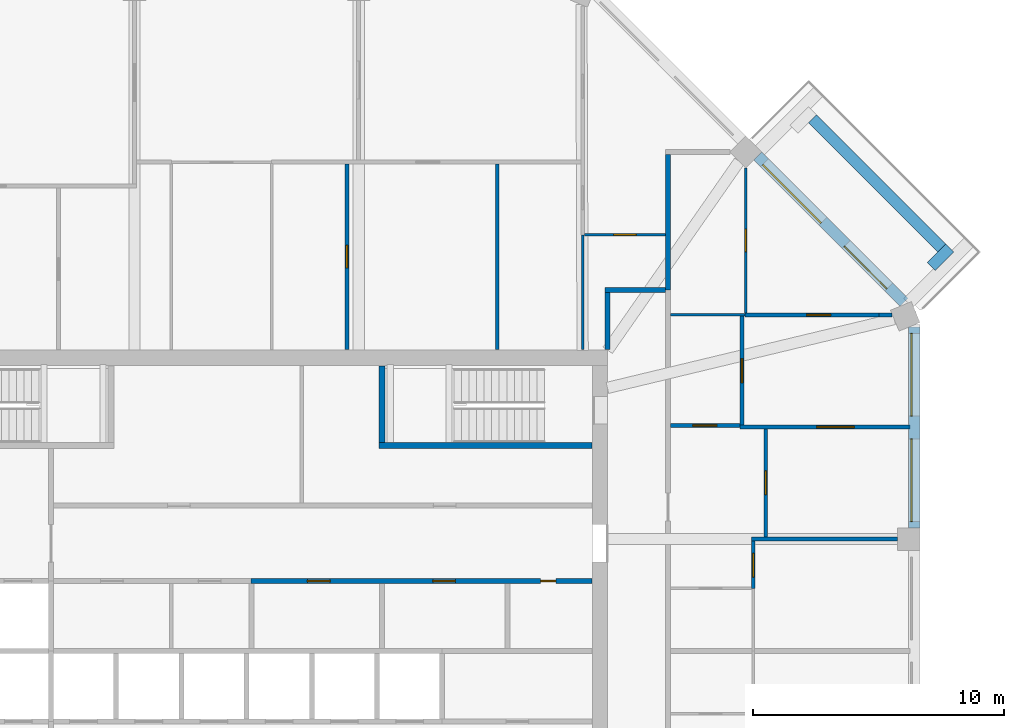
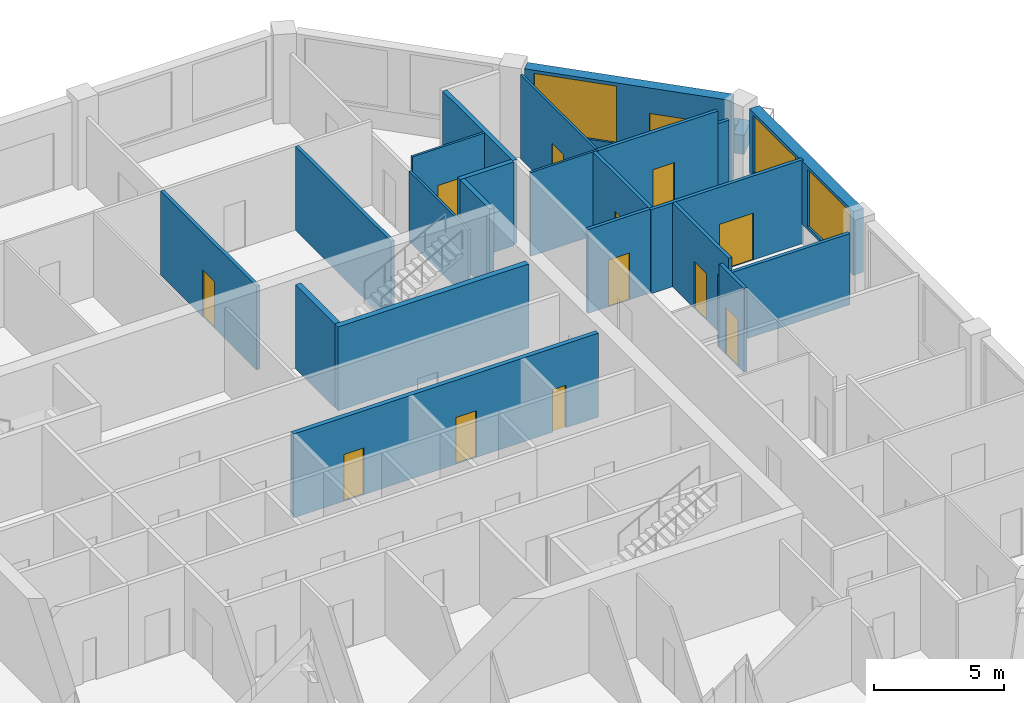
# One storey, part 9 of 11: 24 walls, 13 doors, 3 windows, 16 openings.
"""IFC4 building model written with IfcOpenShell, lengths in metres."""

from ifc_helpers import new_model, si_unit, direction, frame, frame_2d, origin, place, context, subcontext, project, spatial, rectangle, extrude, material, layer, layer_set, type_object, element, fill, save


model = new_model("IFC4")

# Units and contexts
model_context = context("Model", 3, precision=1e-05, world=origin(), true_north=direction((0.0, 1.0)))
body_context = subcontext(model_context, "Body", "Model", "MODEL_VIEW")
ifc_project = project(units=[si_unit("LENGTHUNIT", "METRE"), si_unit("AREAUNIT", "SQUARE_METRE"), si_unit("VOLUMEUNIT", "CUBIC_METRE"), si_unit("PLANEANGLEUNIT", "RADIAN"), si_unit("MASSUNIT", "GRAM", prefix="KILO")], contexts=[model_context])

# Site, building, storey
site_placement = place(None, origin())
site = spatial("IfcSite", under=ifc_project, at=site_placement, CompositionType="ELEMENT")
building_placement = place(site_placement, origin())
building = spatial("IfcBuilding", under=site, at=building_placement, Name="Msitu Wima Residences", CompositionType="ELEMENT")
storey_placement = place(building_placement, frame((0.0, 0.0, 260.10009765625)))
storey = spatial("IfcBuildingStorey", under=building, at=storey_placement, Name="L60", CompositionType="ELEMENT", Elevation=260.10009765625)

# Walls
ifc_material_1 = material(Name="Facing brick")
ifc_layer_1 = layer(ifc_material_1, 0.06494140625, Name="Facing brick")
ifc_material_2 = material(Name="Concrete C40/50", Category="concrete")
ifc_layer_2 = layer(ifc_material_2, 0.156005859375, Name="Concrete C40/50")
ifc_material_3 = material(Name="Waterproofing membrane")
ifc_layer_3 = layer(ifc_material_3, 0.00390625, Name="Waterproofing membrane")
ifc_material_4 = material(Name="Planting soil and planting")
ifc_layer_4 = layer(ifc_material_4, 0.22509765625, Name="Planting soil and planting")
ifc_layer_set_1 = layer_set([ifc_layer_1, ifc_layer_2, ifc_layer_3, ifc_layer_4], Name="Concrete C40/50")
wall_type_1 = type_object("IfcWallType", Name="Balcony planter PLANTER PL450", PredefinedType="USERDEFINED", material=ifc_layer_set_1)
wall_1_placement = place(storey_placement, frame((27.725830078125, 16.0751953125, 0.0), z_axis=(0.0, 0.0, 1.0), x_axis=(-0.707106781187, 0.707106781187, 0.0)))
element("IfcWall", 1, at=wall_1_placement, inside=storey, type_object=wall_type_1, Name="Balcony planter NE0 L60", ObjectType="PLANTER", PredefinedType="USERDEFINED", context=body_context, shape_type="SweptSolid", body=[
    extrude(rectangle(XDim=7.288330078125, YDim=0.449951171875, at=frame_2d((3.64404296875, 0.0))), origin(), (0.0, 0.0, 1.0), 0.89990234375),
])
wall_2_placement = place(storey_placement, frame((27.301513671875, 15.332763671875, 0.0), z_axis=(0.0, 0.0, 1.0), x_axis=(0.707106781187, 0.707106781187, 0.0)))
element("IfcWall", 2, at=wall_2_placement, inside=storey, type_object=wall_type_1, Name="Balcony planter NE0 L60", ObjectType="PLANTER", PredefinedType="USERDEFINED", context=body_context, shape_type="SweptSolid", body=[
    extrude(rectangle(XDim=1.050048828125, YDim=0.449951171875, at=frame_2d((0.52490234375, 0.0))), origin(), (0.0, 0.0, 1.0), 0.89990234375),
])

# Wall, openings, windows
ifc_material_5 = material(Name="Brick (red buff mix)", Category="masonry")
ifc_layer_5 = layer(ifc_material_5, 0.449951171875)
ifc_layer_set_2 = layer_set([ifc_layer_5], Name="Brick (red buff mix)")
wall_type_2 = type_object("IfcWallType", Name="Brick infill wall BW450", PredefinedType="SOLIDWALL", material=ifc_layer_set_2)
wall_3_placement = place(storey_placement, frame((26.625, 4.918701171875, 0.89990234375), z_axis=(0.0, 0.0, 1.0), x_axis=(0.0, 1.0, 0.0)))
wall_3 = element("IfcWall", 3, at=wall_3_placement, inside=storey, type_object=wall_type_2, Name="Brick infill wall L60 E2", PredefinedType="SOLIDWALL", context=body_context, shape_type="SweptSolid", body=[
    extrude(rectangle(XDim=8.0, YDim=0.449951171875, at=frame_2d((4.0, 0.0))), origin(), (0.0, 0.0, 1.0), 3.0),
])
opening_1_placement = place(wall_3_placement, frame((0.25, 0.0, 0.14990234375)))
opening_1 = element("IfcOpeningElement", 4, at=opening_1_placement, cuts=wall_3, Name="Opening W60-62.004", PredefinedType="OPENING", context=body_context, shape_type="SweptSolid", body=[
    extrude(rectangle(XDim=3.300048828125, YDim=2.699951171875, at=frame_2d((1.64990234375, 1.35009765625))), frame((0.0, 0.23486328125, 0.0), z_axis=(0.0, -1.0, 0.0), x_axis=(1.0, 0.0, 0.0)), (0.0, 0.0, 1.0), 0.469970703125),
])
opening_2_placement = place(wall_3_placement, frame((4.4501953125, 0.0, 0.14990234375)))
opening_2 = element("IfcOpeningElement", 5, at=opening_2_placement, cuts=wall_3, Name="Opening W60-62.005", PredefinedType="OPENING", context=body_context, shape_type="SweptSolid", body=[
    extrude(rectangle(XDim=3.300048828125, YDim=2.699951171875, at=frame_2d((1.64990234375, 1.35009765625))), frame((0.0, 0.23486328125, 0.0), z_axis=(0.0, -1.0, 0.0), x_axis=(1.0, 0.0, 0.0)), (0.0, 0.0, 1.0), 0.469970703125),
])
ifc_material_6 = material(Name="Anodised aluminium, bronze finish, clear low-emissivity double glazing", Category="aluminium")
window_type = type_object("IfcWindowType", Name="Window W3300x2700", PartitioningType="DOUBLE_PANEL_VERTICAL", PredefinedType="WINDOW", material=ifc_material_6)
window_1_placement = place(opening_1_placement, origin())
window_1 = element("IfcWindow", 6, at=window_1_placement, inside=storey, type_object=window_type, Name="Window L60 E2.1", OverallHeight=2.699951171875, OverallWidth=3.300048828125, PartitioningType="SINGLE_PANEL", PredefinedType="WINDOW", context=body_context, shape_type="SweptSolid", body=[
    extrude(rectangle(XDim=3.300048828125, YDim=2.699951171875, at=frame_2d((1.64990234375, 1.35009765625))), frame((0.0, 0.135009765625, 0.0), z_axis=(0.0, -1.0, 0.0), x_axis=(1.0, 0.0, 0.0)), (0.0, 0.0, 1.0), 0.06005859375),
])
fill(opening_1, window_1)
window_2_placement = place(opening_2_placement, origin())
window_2 = element("IfcWindow", 7, at=window_2_placement, inside=storey, type_object=window_type, Name="Window L60 E2.2", OverallHeight=2.699951171875, OverallWidth=3.300048828125, PartitioningType="SINGLE_PANEL", PredefinedType="WINDOW", context=body_context, shape_type="SweptSolid", body=[
    extrude(rectangle(XDim=3.300048828125, YDim=2.699951171875, at=frame_2d((1.64990234375, 1.35009765625))), frame((0.0, 0.135009765625, 0.0), z_axis=(0.0, -1.0, 0.0), x_axis=(1.0, 0.0, 0.0)), (0.0, 0.0, 1.0), 0.06005859375),
])
fill(opening_2, window_2)

# Wall, openings, door, window
wall_4_placement = place(storey_placement, frame((26.214599609375, 13.909423828125, 0.0), z_axis=(0.0, 0.0, 1.0), x_axis=(-0.707106781187, 0.707106781187, 0.0)))
wall_4 = element("IfcWall", 8, at=wall_4_placement, inside=storey, type_object=wall_type_2, Name="Brick infill wall L60 NE0", PredefinedType="SOLIDWALL", context=body_context, shape_type="SweptSolid", body=[
    extrude(rectangle(XDim=8.251220703125, YDim=0.449951171875, at=frame_2d((4.12548828125, 0.0))), origin(), (0.0, 0.0, 1.0), 3.89990234375),
])
opening_3_placement = place(wall_4_placement, frame((0.86279296875, 0.0, 0.0)))
opening_3 = element("IfcOpeningElement", 9, at=opening_3_placement, cuts=wall_4, Name="Opening D60-62.003", PredefinedType="OPENING", context=body_context, shape_type="SweptSolid", body=[
    extrude(rectangle(XDim=2.39990234375, YDim=2.699951171875, at=frame_2d((1.199951171875, 1.35009765625))), frame((0.0, 0.23486328125, 0.0), z_axis=(0.0, -1.0, 0.0), x_axis=(1.0, 0.0, 0.0)), (0.0, 0.0, 1.0), 0.469970703125),
])
opening_4_placement = place(wall_4_placement, frame((4.57568359375, 0.0, 1.050048828125)))
opening_4 = element("IfcOpeningElement", 10, at=opening_4_placement, cuts=wall_4, Name="Opening W60-62.011", PredefinedType="OPENING", context=body_context, shape_type="SweptSolid", body=[
    extrude(rectangle(XDim=3.300048828125, YDim=2.699951171875, at=frame_2d((1.64990234375, 1.35009765625))), frame((0.0, 0.23486328125, 0.0), z_axis=(0.0, -1.0, 0.0), x_axis=(1.0, 0.0, 0.0)), (0.0, 0.0, 1.0), 0.469970703125),
])
door_type_1 = type_object("IfcDoorType", Name="Balcony door D2400x2700", OperationType="SLIDING_TO_LEFT", PredefinedType="DOOR", material=ifc_material_6)
door_1_placement = place(opening_3_placement, origin())
door_1 = element("IfcDoor", 11, at=door_1_placement, inside=storey, type_object=door_type_1, Name="Balcony door L60 NE0", OperationType="SINGLE_SWING_LEFT", OverallHeight=2.699951171875, OverallWidth=2.39990234375, PredefinedType="DOOR", context=body_context, shape_type="SweptSolid", body=[
    extrude(rectangle(XDim=2.39990234375, YDim=2.699951171875, at=frame_2d((1.199951171875, 1.35009765625))), frame((0.0, 0.1298828125, 0.0), z_axis=(0.0, -1.0, 0.0), x_axis=(1.0, 0.0, 0.0)), (0.0, 0.0, 1.0), 0.050048828125),
])
fill(opening_3, door_1)
window_3_placement = place(opening_4_placement, origin())
window_3 = element("IfcWindow", 12, at=window_3_placement, inside=storey, type_object=window_type, Name="Window L60 NE0.2", OverallHeight=2.699951171875, OverallWidth=3.300048828125, PartitioningType="SINGLE_PANEL", PredefinedType="WINDOW", context=body_context, shape_type="SweptSolid", body=[
    extrude(rectangle(XDim=3.300048828125, YDim=2.699951171875, at=frame_2d((1.64990234375, 1.35009765625))), frame((0.0, 0.135009765625, 0.0), z_axis=(0.0, -1.0, 0.0), x_axis=(1.0, 0.0, 0.0)), (0.0, 0.0, 1.0), 0.06005859375),
])
fill(opening_4, window_3)

# Walls
ifc_material_7 = material(Name="Plaster")
ifc_layer_6 = layer(ifc_material_7, 0.011962890625, Name="Plaster")
ifc_material_8 = material(Name="Concrete blockwork", Category="masonry")
ifc_layer_7 = layer(ifc_material_8, 0.176025390625, Name="Concrete blockwork")
ifc_layer_8 = layer(ifc_material_7, 0.011962890625, Name="Plaster")
ifc_layer_set_3 = layer_set([ifc_layer_6, ifc_layer_7, ifc_layer_8], Name="Concrete blockwork")
wall_type_3 = type_object("IfcWallType", Name="Corridor wall FW200", PredefinedType="PARTITIONING", material=ifc_layer_set_3)
wall_5_placement = place(storey_placement, frame((14.39990234375, 12.030029296875, 0.0), z_axis=(0.0, 0.0, 1.0), x_axis=(0.0, 1.0, 0.0)))
element("IfcWall", 13, at=wall_5_placement, inside=storey, type_object=wall_type_3, Name="Corridor wall", PredefinedType="PARTITIONING", context=body_context, shape_type="SweptSolid", body=[
    extrude(rectangle(XDim=2.27001953125, YDim=0.199951171875, at=frame_2d((1.135009765625, 0.0))), origin(), (0.0, 0.0, 1.0), 3.949951171875),
])
wall_6_placement = place(storey_placement, frame((14.300048828125, 14.39990234375, 0.0), z_axis=(0.0, 0.0, 1.0), x_axis=(1.0, 0.0, 0.0)))
element("IfcWall", 14, at=wall_6_placement, inside=storey, type_object=wall_type_3, Name="Corridor wall", PredefinedType="PARTITIONING", context=body_context, shape_type="SweptSolid", body=[
    extrude(rectangle(XDim=2.39990234375, YDim=0.199951171875, at=frame_2d((1.199951171875, 0.0))), origin(), (0.0, 0.0, 1.0), 3.949951171875),
])

# Wall, opening, door
ifc_layer_9 = layer(ifc_material_7, 0.011962890625, Name="Plaster")
ifc_layer_10 = layer(ifc_material_8, 0.1259765625, Name="Concrete blockwork")
ifc_layer_11 = layer(ifc_material_7, 0.011962890625, Name="Plaster")
ifc_layer_set_4 = layer_set([ifc_layer_9, ifc_layer_10, ifc_layer_11], Name="Concrete blockwork")
wall_type_4 = type_object("IfcWallType", Name="Partition PW150", PredefinedType="PARTITIONING", material=ifc_layer_set_4)
wall_7_placement = place(storey_placement, frame((4.0, 12.030029296875, 0.0), z_axis=(0.0, 0.0, 1.0), x_axis=(0.0, 1.0, 0.0)))
wall_7 = element("IfcWall", 15, at=wall_7_placement, inside=storey, type_object=wall_type_4, Name="Partition", PredefinedType="PARTITIONING", context=body_context, shape_type="SweptSolid", body=[
    extrude(rectangle(XDim=7.39501953125, YDim=0.14990234375, at=frame_2d((3.697509765625, 0.0))), origin(), (0.0, 0.0, 1.0), 3.949951171875),
])
opening_5_placement = place(wall_7_placement, frame((3.25, 0.0, 0.0)))
opening_5 = element("IfcOpeningElement", 16, at=opening_5_placement, cuts=wall_7, Name="Opening D60-62.029", PredefinedType="OPENING", context=body_context, shape_type="SweptSolid", body=[
    extrude(rectangle(XDim=0.89990234375, YDim=2.199951171875, at=frame_2d((0.449951171875, 1.10009765625))), frame((0.0, 0.0849609375, 0.0), z_axis=(0.0, -1.0, 0.0), x_axis=(1.0, 0.0, 0.0)), (0.0, 0.0, 1.0), 0.169921875),
])
ifc_material_9 = material(Name="Timber flush door", Category="wood")
door_type_2 = type_object("IfcDoorType", Name="Service door D05 900x2200", OperationType="SINGLE_SWING_LEFT", PredefinedType="DOOR", material=ifc_material_9)
door_2_placement = place(opening_5_placement, origin())
door_2 = element("IfcDoor", 17, at=door_2_placement, inside=storey, type_object=door_type_2, Name="Service door", OperationType="SINGLE_SWING_LEFT", OverallHeight=2.199951171875, OverallWidth=0.89990234375, PredefinedType="DOOR", context=body_context, shape_type="SweptSolid", body=[
    extrude(rectangle(XDim=0.89990234375, YDim=2.199951171875, at=frame_2d((0.449951171875, 1.10009765625))), frame((0.0, 0.02490234375, 0.0), z_axis=(0.0, -1.0, 0.0), x_axis=(1.0, 0.0, 0.0)), (0.0, 0.0, 1.0), 0.050048828125),
])
fill(opening_5, door_2)

# Wall
wall_8_placement = place(storey_placement, frame((10.0, 12.030029296875, 0.0), z_axis=(0.0, 0.0, 1.0), x_axis=(0.0, 1.0, 0.0)))
element("IfcWall", 18, at=wall_8_placement, inside=storey, type_object=wall_type_4, Name="Partition", PredefinedType="PARTITIONING", context=body_context, shape_type="SweptSolid", body=[
    extrude(rectangle(XDim=7.39501953125, YDim=0.14990234375, at=frame_2d((3.697509765625, 0.0))), origin(), (0.0, 0.0, 1.0), 3.949951171875),
])

# Wall, opening, door
wall_9_placement = place(storey_placement, frame((16.89990234375, 9.0, 0.0), z_axis=(0.0, 0.0, 1.0), x_axis=(1.0, 0.0, 0.0)))
wall_9 = element("IfcWall", 19, at=wall_9_placement, inside=storey, type_object=wall_type_4, Name="Partition", PredefinedType="PARTITIONING", context=body_context, shape_type="SweptSolid", body=[
    extrude(rectangle(XDim=2.775146484375, YDim=0.14990234375, at=frame_2d((1.3876953125, 0.0))), origin(), (0.0, 0.0, 1.0), 3.949951171875),
])
opening_6_placement = place(wall_9_placement, frame((0.89990234375, 0.0, 0.0)))
opening_6 = element("IfcOpeningElement", 20, at=opening_6_placement, cuts=wall_9, Name="Opening D60-62.019", PredefinedType="OPENING", context=body_context, shape_type="SweptSolid", body=[
    extrude(rectangle(XDim=0.949951171875, YDim=2.199951171875, at=frame_2d((0.47509765625, 1.10009765625))), frame((0.0, 0.0849609375, 0.0), z_axis=(0.0, -1.0, 0.0), x_axis=(1.0, 0.0, 0.0)), (0.0, 0.0, 1.0), 0.169921875),
])
door_type_3 = type_object("IfcDoorType", Name="Room door D12 950x2200", OperationType="SINGLE_SWING_LEFT", PredefinedType="DOOR", material=ifc_material_9)
door_3_placement = place(opening_6_placement, origin())
door_3 = element("IfcDoor", 21, at=door_3_placement, inside=storey, type_object=door_type_3, Name="Room door", OperationType="SINGLE_SWING_LEFT", OverallHeight=2.199951171875, OverallWidth=0.949951171875, PredefinedType="DOOR", context=body_context, shape_type="SweptSolid", body=[
    extrude(rectangle(XDim=0.949951171875, YDim=2.199951171875, at=frame_2d((0.47509765625, 1.10009765625))), frame((0.0, 0.02490234375, 0.0), z_axis=(0.0, -1.0, 0.0), x_axis=(1.0, 0.0, 0.0)), (0.0, 0.0, 1.0), 0.050048828125),
])
fill(opening_6, door_3)

wall_10_placement = place(storey_placement, frame((19.75, 9.01220703125, 0.0), z_axis=(0.0, 0.0, 1.0), x_axis=(0.0, 1.0, 0.0)))
wall_10 = element("IfcWall", 22, at=wall_10_placement, inside=storey, type_object=wall_type_4, Name="Partition", PredefinedType="PARTITIONING", context=body_context, shape_type="SweptSolid", body=[
    extrude(rectangle(XDim=4.34375, YDim=0.14990234375, at=frame_2d((2.171875, 0.0))), origin(), (0.0, 0.0, 1.0), 3.949951171875),
])
opening_7_placement = place(wall_10_placement, frame((1.699951171875, 0.0, 0.0)))
opening_7 = element("IfcOpeningElement", 23, at=opening_7_placement, cuts=wall_10, Name="Opening D60-62.025", PredefinedType="OPENING", context=body_context, shape_type="SweptSolid", body=[
    extrude(rectangle(XDim=0.949951171875, YDim=2.199951171875, at=frame_2d((0.47509765625, 1.10009765625))), frame((0.0, 0.0849609375, 0.0), z_axis=(0.0, -1.0, 0.0), x_axis=(1.0, 0.0, 0.0)), (0.0, 0.0, 1.0), 0.169921875),
])
door_4_placement = place(opening_7_placement, origin())
door_4 = element("IfcDoor", 24, at=door_4_placement, inside=storey, type_object=door_type_3, Name="Room door", OperationType="SINGLE_SWING_LEFT", OverallHeight=2.199951171875, OverallWidth=0.949951171875, PredefinedType="DOOR", context=body_context, shape_type="SweptSolid", body=[
    extrude(rectangle(XDim=0.949951171875, YDim=2.199951171875, at=frame_2d((0.47509765625, 1.10009765625))), frame((0.0, 0.02490234375, 0.0), z_axis=(0.0, -1.0, 0.0), x_axis=(1.0, 0.0, 0.0)), (0.0, 0.0, 1.0), 0.050048828125),
])
fill(opening_7, door_4)

wall_11_placement = place(storey_placement, frame((19.675048828125, 8.937255859375, 0.0), z_axis=(0.0, 0.0, 1.0), x_axis=(1.0, 0.0, 0.0)))
wall_11 = element("IfcWall", 25, at=wall_11_placement, inside=storey, type_object=wall_type_4, Name="Partition", PredefinedType="PARTITIONING", context=body_context, shape_type="SweptSolid", body=[
    extrude(rectangle(XDim=6.780029296875, YDim=0.14990234375, at=frame_2d((3.39013671875, 0.0))), origin(), (0.0, 0.0, 1.0), 3.949951171875),
])
opening_8_placement = place(wall_11_placement, frame((3.050048828125, 0.0, 0.0)))
opening_8 = element("IfcOpeningElement", 26, at=opening_8_placement, cuts=wall_11, Name="Opening D60-62.022", PredefinedType="OPENING", context=body_context, shape_type="SweptSolid", body=[
    extrude(rectangle(XDim=1.5, YDim=2.199951171875, at=frame_2d((0.75, 1.10009765625))), frame((0.0, 0.0849609375, 0.0), z_axis=(0.0, -1.0, 0.0), x_axis=(1.0, 0.0, 0.0)), (0.0, 0.0, 1.0), 0.169921875),
])
ifc_material_10 = material(Name="Timber double door", Category="wood")
door_type_4 = type_object("IfcDoorType", Name="Double door D04 1500x2200", OperationType="DOUBLE_DOOR_SINGLE_SWING", PredefinedType="DOOR", material=ifc_material_10)
door_5_placement = place(opening_8_placement, origin())
door_5 = element("IfcDoor", 27, at=door_5_placement, inside=storey, type_object=door_type_4, Name="Double door", OperationType="DOUBLE_DOOR_SINGLE_SWING", OverallHeight=2.199951171875, OverallWidth=1.5, PredefinedType="DOOR", context=body_context, shape_type="SweptSolid", body=[
    extrude(rectangle(XDim=1.5, YDim=2.199951171875, at=frame_2d((0.75, 1.10009765625))), frame((0.0, 0.02490234375, 0.0), z_axis=(0.0, -1.0, 0.0), x_axis=(1.0, 0.0, 0.0)), (0.0, 0.0, 1.0), 0.050048828125),
])
fill(opening_8, door_5)

wall_12_placement = place(storey_placement, frame((19.883056640625, 13.406005859375, 0.0), z_axis=(0.0, 0.0, 1.0), x_axis=(1.0, 0.0, 0.0)))
wall_12 = element("IfcWall", 28, at=wall_12_placement, inside=storey, type_object=wall_type_4, Name="Partition", PredefinedType="PARTITIONING", context=body_context, shape_type="SweptSolid", body=[
    extrude(rectangle(XDim=5.341064453125, YDim=0.14990234375, at=frame_2d((2.67041015625, 0.0))), origin(), (0.0, 0.0, 1.0), 3.949951171875),
])
opening_9_placement = place(wall_12_placement, frame((2.449951171875, 0.0, 0.0)))
opening_9 = element("IfcOpeningElement", 29, at=opening_9_placement, cuts=wall_12, Name="Opening D60-62.023", PredefinedType="OPENING", context=body_context, shape_type="SweptSolid", body=[
    extrude(rectangle(XDim=0.949951171875, YDim=2.199951171875, at=frame_2d((0.47509765625, 1.10009765625))), frame((0.0, 0.0849609375, 0.0), z_axis=(0.0, -1.0, 0.0), x_axis=(1.0, 0.0, 0.0)), (0.0, 0.0, 1.0), 0.169921875),
])
door_6_placement = place(opening_9_placement, origin())
door_6 = element("IfcDoor", 30, at=door_6_placement, inside=storey, type_object=door_type_3, Name="Room door", OperationType="SINGLE_SWING_RIGHT", OverallHeight=2.199951171875, OverallWidth=0.949951171875, PredefinedType="DOOR", context=body_context, shape_type="SweptSolid", body=[
    extrude(rectangle(XDim=0.949951171875, YDim=2.199951171875, at=frame_2d((0.47509765625, 1.10009765625))), frame((0.0, 0.02490234375, 0.0), z_axis=(0.0, -1.0, 0.0), x_axis=(1.0, 0.0, 0.0)), (0.0, 0.0, 1.0), 0.050048828125),
])
fill(opening_9, door_6)

# Wall
wall_13_placement = place(storey_placement, frame((25.22412109375, 13.406005859375, 0.0), z_axis=(0.0, 0.0, 1.0), x_axis=(1.0, 0.0, 0.0)))
element("IfcWall", 31, at=wall_13_placement, inside=storey, type_object=wall_type_4, Name="Partition", PredefinedType="PARTITIONING", context=body_context, shape_type="SweptSolid", body=[
    extrude(rectangle(XDim=0.507080078125, YDim=0.14990234375, at=frame_2d((0.25341796875, 0.0))), origin(), (0.0, 0.0, 1.0), 3.349853515625),
])

# Wall, opening, door
wall_14_placement = place(storey_placement, frame((20.199951171875, 2.5, 0.0), z_axis=(0.0, 0.0, 1.0), x_axis=(0.0, 1.0, 0.0)))
wall_14 = element("IfcWall", 32, at=wall_14_placement, inside=storey, type_object=wall_type_4, Name="Partition", PredefinedType="PARTITIONING", context=body_context, shape_type="SweptSolid", body=[
    extrude(rectangle(XDim=1.8935546875, YDim=0.14990234375, at=frame_2d((0.94677734375, 0.0))), origin(), (0.0, 0.0, 1.0), 3.949951171875),
])
opening_10_placement = place(wall_14_placement, frame((0.449951171875, 0.0, 0.0)))
opening_10 = element("IfcOpeningElement", 33, at=opening_10_placement, cuts=wall_14, Name="Opening D60-62.020", PredefinedType="OPENING", context=body_context, shape_type="SweptSolid", body=[
    extrude(rectangle(XDim=0.949951171875, YDim=2.199951171875, at=frame_2d((0.47509765625, 1.10009765625))), frame((0.0, 0.0849609375, 0.0), z_axis=(0.0, -1.0, 0.0), x_axis=(1.0, 0.0, 0.0)), (0.0, 0.0, 1.0), 0.169921875),
])
door_7_placement = place(opening_10_placement, origin())
door_7 = element("IfcDoor", 34, at=door_7_placement, inside=storey, type_object=door_type_3, Name="Room door", OperationType="SINGLE_SWING_LEFT", OverallHeight=2.199951171875, OverallWidth=0.949951171875, PredefinedType="DOOR", context=body_context, shape_type="SweptSolid", body=[
    extrude(rectangle(XDim=0.949951171875, YDim=2.199951171875, at=frame_2d((0.47509765625, 1.10009765625))), frame((0.0, 0.02490234375, 0.0), z_axis=(0.0, -1.0, 0.0), x_axis=(1.0, 0.0, 0.0)), (0.0, 0.0, 1.0), 0.050048828125),
])
fill(opening_10, door_7)

# Wall
wall_15_placement = place(storey_placement, frame((20.125, 4.46875, 0.0), z_axis=(0.0, 0.0, 1.0), x_axis=(1.0, 0.0, 0.0)))
element("IfcWall", 35, at=wall_15_placement, inside=storey, type_object=wall_type_4, Name="Partition", PredefinedType="PARTITIONING", context=body_context, shape_type="SweptSolid", body=[
    extrude(rectangle(XDim=5.824951171875, YDim=0.14990234375, at=frame_2d((2.91259765625, 0.0))), origin(), (0.0, 0.0, 1.0), 3.349853515625),
])

# Wall, opening, door
wall_16_placement = place(storey_placement, frame((20.699951171875, 4.543701171875, 0.0), z_axis=(0.0, 0.0, 1.0), x_axis=(0.0, 1.0, 0.0)))
wall_16 = element("IfcWall", 36, at=wall_16_placement, inside=storey, type_object=wall_type_4, Name="Partition", PredefinedType="PARTITIONING", context=body_context, shape_type="SweptSolid", body=[
    extrude(rectangle(XDim=4.318603515625, YDim=0.14990234375, at=frame_2d((2.1591796875, 0.0))), origin(), (0.0, 0.0, 1.0), 3.949951171875),
])
opening_11_placement = place(wall_16_placement, frame((1.699951171875, 0.0, 0.0)))
opening_11 = element("IfcOpeningElement", 37, at=opening_11_placement, cuts=wall_16, Name="Opening D60-62.021", PredefinedType="OPENING", context=body_context, shape_type="SweptSolid", body=[
    extrude(rectangle(XDim=0.949951171875, YDim=2.199951171875, at=frame_2d((0.47509765625, 1.10009765625))), frame((0.0, 0.0849609375, 0.0), z_axis=(0.0, -1.0, 0.0), x_axis=(1.0, 0.0, 0.0)), (0.0, 0.0, 1.0), 0.169921875),
])
door_8_placement = place(opening_11_placement, origin())
door_8 = element("IfcDoor", 38, at=door_8_placement, inside=storey, type_object=door_type_3, Name="Room door", OperationType="SINGLE_SWING_LEFT", OverallHeight=2.199951171875, OverallWidth=0.949951171875, PredefinedType="DOOR", context=body_context, shape_type="SweptSolid", body=[
    extrude(rectangle(XDim=0.949951171875, YDim=2.199951171875, at=frame_2d((0.47509765625, 1.10009765625))), frame((0.0, 0.02490234375, 0.0), z_axis=(0.0, -1.0, 0.0), x_axis=(1.0, 0.0, 0.0)), (0.0, 0.0, 1.0), 0.050048828125),
])
fill(opening_11, door_8)

# Wall
ifc_layer_12 = layer(ifc_material_7, 0.011962890625, Name="Plaster")
ifc_material_11 = material(Name="Dense concrete blockwork", Category="masonry")
ifc_layer_13 = layer(ifc_material_11, 0.176025390625, Name="Dense concrete blockwork")
ifc_layer_14 = layer(ifc_material_7, 0.011962890625, Name="Plaster")
ifc_layer_set_5 = layer_set([ifc_layer_12, ifc_layer_13, ifc_layer_14], Name="Dense concrete blockwork")
wall_type_5 = type_object("IfcWallType", Name="Party wall PW200", PredefinedType="PARTITIONING", material=ifc_layer_set_5)
wall_17_placement = place(storey_placement, frame((16.800048828125, 14.39990234375, 0.0), z_axis=(0.0, 0.0, 1.0), x_axis=(0.0, 1.0, 0.0)))
element("IfcWall", 39, at=wall_17_placement, inside=storey, type_object=wall_type_5, Name="Party wall", PredefinedType="PARTITIONING", context=body_context, shape_type="SweptSolid", body=[
    extrude(rectangle(XDim=5.403076171875, YDim=0.199951171875, at=frame_2d((2.70166015625, 0.0))), origin(), (0.0, 0.0, 1.0), 3.949951171875),
])

# Wall, openings, doors
ifc_layer_15 = layer(ifc_material_7, 0.011962890625, Name="Plaster")
ifc_material_12 = material(Name="Reinforced concrete blockwork", Category="masonry")
ifc_layer_16 = layer(ifc_material_12, 0.176025390625, Name="Reinforced concrete blockwork")
ifc_layer_17 = layer(ifc_material_7, 0.011962890625, Name="Plaster")
ifc_layer_set_6 = layer_set([ifc_layer_15, ifc_layer_16, ifc_layer_17], Name="Reinforced concrete blockwork")
wall_type_6 = type_object("IfcWallType", Name="Plant and riser wall PL200", PredefinedType="PARTITIONING", material=ifc_layer_set_6)
wall_18_placement = place(storey_placement, frame((0.179931640625, 2.800048828125, 0.0), z_axis=(0.0, 0.0, 1.0), x_axis=(1.0, 0.0, 0.0)))
wall_18 = element("IfcWall", 40, at=wall_18_placement, inside=storey, type_object=wall_type_6, Name="Plant and riser wall", PredefinedType="PARTITIONING", context=body_context, shape_type="SweptSolid", body=[
    extrude(rectangle(XDim=13.590087890625, YDim=0.199951171875, at=frame_2d((6.794921875, 0.0))), origin(), (0.0, 0.0, 1.0), 3.949951171875),
])
opening_12_placement = place(wall_18_placement, frame((11.550048828125, 0.0, 0.0)))
opening_12 = element("IfcOpeningElement", 41, at=opening_12_placement, cuts=wall_18, Name="Opening D60-62.083", PredefinedType="OPENING", context=body_context, shape_type="SweptSolid", body=[
    extrude(rectangle(XDim=0.60009765625, YDim=2.0, at=frame_2d((0.300048828125, 1.0))), frame((0.0, 0.10986328125, 0.0), z_axis=(0.0, -1.0, 0.0), x_axis=(1.0, 0.0, 0.0)), (0.0, 0.0, 1.0), 0.219970703125),
])
opening_13_placement = place(wall_18_placement, frame((2.25, 0.0, 0.0)))
opening_13 = element("IfcOpeningElement", 42, at=opening_13_placement, cuts=wall_18, Name="Opening D60-62.081", PredefinedType="OPENING", context=body_context, shape_type="SweptSolid", body=[
    extrude(rectangle(XDim=0.89990234375, YDim=2.199951171875, at=frame_2d((0.449951171875, 1.10009765625))), frame((0.0, 0.10986328125, 0.0), z_axis=(0.0, -1.0, 0.0), x_axis=(1.0, 0.0, 0.0)), (0.0, 0.0, 1.0), 0.219970703125),
])
opening_14_placement = place(wall_18_placement, frame((7.25, 0.0, 0.0)))
opening_14 = element("IfcOpeningElement", 43, at=opening_14_placement, cuts=wall_18, Name="Opening D60-62.082", PredefinedType="OPENING", context=body_context, shape_type="SweptSolid", body=[
    extrude(rectangle(XDim=0.89990234375, YDim=2.199951171875, at=frame_2d((0.449951171875, 1.10009765625))), frame((0.0, 0.10986328125, 0.0), z_axis=(0.0, -1.0, 0.0), x_axis=(1.0, 0.0, 0.0)), (0.0, 0.0, 1.0), 0.219970703125),
])
ifc_material_13 = material(Name="Steel access door, fire resisting", Category="steel")
door_type_5 = type_object("IfcDoorType", Name="Riser access door D08 600x2000", OperationType="SINGLE_SWING_LEFT", PredefinedType="DOOR", material=ifc_material_13)
door_9_placement = place(opening_12_placement, origin())
door_9 = element("IfcDoor", 44, at=door_9_placement, inside=storey, type_object=door_type_5, Name="Riser access door", OperationType="SINGLE_SWING_RIGHT", OverallHeight=2.0, OverallWidth=0.60009765625, PredefinedType="DOOR", context=body_context, shape_type="SweptSolid", body=[
    extrude(rectangle(XDim=0.60009765625, YDim=2.0, at=frame_2d((0.300048828125, 1.0))), frame((0.0, 0.02490234375, 0.0), z_axis=(0.0, -1.0, 0.0), x_axis=(1.0, 0.0, 0.0)), (0.0, 0.0, 1.0), 0.050048828125),
])
fill(opening_12, door_9)
door_10_placement = place(opening_13_placement, origin())
door_10 = element("IfcDoor", 45, at=door_10_placement, inside=storey, type_object=door_type_2, Name="Service door", OperationType="SINGLE_SWING_LEFT", OverallHeight=2.199951171875, OverallWidth=0.89990234375, PredefinedType="DOOR", context=body_context, shape_type="SweptSolid", body=[
    extrude(rectangle(XDim=0.89990234375, YDim=2.199951171875, at=frame_2d((0.449951171875, 1.10009765625))), frame((0.0, 0.02490234375, 0.0), z_axis=(0.0, -1.0, 0.0), x_axis=(1.0, 0.0, 0.0)), (0.0, 0.0, 1.0), 0.050048828125),
])
fill(opening_13, door_10)
door_11_placement = place(opening_14_placement, origin())
door_11 = element("IfcDoor", 46, at=door_11_placement, inside=storey, type_object=door_type_2, Name="Service door", OperationType="SINGLE_SWING_RIGHT", OverallHeight=2.199951171875, OverallWidth=0.89990234375, PredefinedType="DOOR", context=body_context, shape_type="SweptSolid", body=[
    extrude(rectangle(XDim=0.89990234375, YDim=2.199951171875, at=frame_2d((0.449951171875, 1.10009765625))), frame((0.0, 0.02490234375, 0.0), z_axis=(0.0, -1.0, 0.0), x_axis=(1.0, 0.0, 0.0)), (0.0, 0.0, 1.0), 0.050048828125),
])
fill(opening_14, door_11)

# Walls
ifc_material_14 = material(Name="Concrete C50/60", Category="concrete")
ifc_layer_18 = layer(ifc_material_14, 0.25)
ifc_layer_set_7 = layer_set([ifc_layer_18], Name="Concrete C50/60")
wall_type_7 = type_object("IfcWallType", Name="Stair enclosure wall SW250", PredefinedType="SHEAR", material=ifc_layer_set_7)
wall_19_placement = place(storey_placement, frame((5.39990234375, 8.324951171875, 0.0), z_axis=(0.0, 0.0, 1.0), x_axis=(0.0, 1.0, 0.0)))
element("IfcWall", 47, at=wall_19_placement, inside=storey, type_object=wall_type_7, Name="Stair enclosure wall", PredefinedType="SHEAR", context=body_context, shape_type="SweptSolid", body=[
    extrude(rectangle(XDim=3.045166015625, YDim=0.25, at=frame_2d((1.5224609375, 0.0))), origin(), (0.0, 0.0, 1.0), 3.949951171875),
])
wall_20_placement = place(storey_placement, frame((5.27490234375, 8.199951171875, 0.0), z_axis=(0.0, 0.0, 1.0), x_axis=(1.0, 0.0, 0.0)))
element("IfcWall", 48, at=wall_20_placement, inside=storey, type_object=wall_type_7, Name="Stair enclosure wall", PredefinedType="SHEAR", context=body_context, shape_type="SweptSolid", body=[
    extrude(rectangle(XDim=8.4951171875, YDim=0.25, at=frame_2d((4.24755859375, 0.0))), origin(), (0.0, 0.0, 1.0), 3.949951171875),
])
ifc_material_15 = material(Name="Ceramic tiles")
ifc_layer_19 = layer(ifc_material_15, 0.008056640625, Name="Ceramic tiles")
ifc_material_16 = material(Name="Moisture-resistant board")
ifc_layer_20 = layer(ifc_material_16, 0.012451171875, Name="Moisture-resistant board")
ifc_material_17 = material(Name="Light-gauge stud framing with mineral wool")
ifc_layer_21 = layer(ifc_material_17, 0.06689453125, Name="Light-gauge stud framing with mineral wool")
ifc_layer_22 = layer(ifc_material_16, 0.012451171875, Name="Moisture-resistant board")
ifc_layer_set_8 = layer_set([ifc_layer_19, ifc_layer_20, ifc_layer_21, ifc_layer_22], Name="Light-gauge stud framing with mineral wool")
wall_type_8 = type_object("IfcWallType", Name="Wet wall PW100", PredefinedType="PARTITIONING", material=ifc_layer_set_8)
wall_21_placement = place(storey_placement, frame((13.406005859375, 12.030029296875, 0.0), z_axis=(0.0, 0.0, 1.0), x_axis=(0.0, 1.0, 0.0)))
element("IfcWall", 49, at=wall_21_placement, inside=storey, type_object=wall_type_8, Name="Wet wall", PredefinedType="PARTITIONING", context=body_context, shape_type="SweptSolid", body=[
    extrude(rectangle(XDim=4.570068359375, YDim=0.10009765625, at=frame_2d((2.28515625, 0.0))), origin(), (0.0, 0.0, 1.0), 3.2998046875),
])

# Wall, opening, door
wall_22_placement = place(storey_placement, frame((13.48095703125, 16.60009765625, 0.0), z_axis=(0.0, 0.0, 1.0), x_axis=(1.0, 0.0, 0.0)))
wall_22 = element("IfcWall", 50, at=wall_22_placement, inside=storey, type_object=wall_type_8, Name="Wet wall", PredefinedType="PARTITIONING", context=body_context, shape_type="SweptSolid", body=[
    extrude(rectangle(XDim=3.218994140625, YDim=0.10009765625, at=frame_2d((1.609375, 0.0))), origin(), (0.0, 0.0, 1.0), 3.949951171875),
])
opening_15_placement = place(wall_22_placement, frame((1.14990234375, 0.0, 0.0)))
opening_15 = element("IfcOpeningElement", 51, at=opening_15_placement, cuts=wall_22, Name="Opening D60-62.030", PredefinedType="OPENING", context=body_context, shape_type="SweptSolid", body=[
    extrude(rectangle(XDim=0.89990234375, YDim=2.199951171875, at=frame_2d((0.449951171875, 1.10009765625))), frame((0.0, 0.06005859375, 0.0), z_axis=(0.0, -1.0, 0.0), x_axis=(1.0, 0.0, 0.0)), (0.0, 0.0, 1.0), 0.1201171875),
])
ifc_material_18 = material(Name="Timber flush door, moisture resistant", Category="wood")
door_type_6 = type_object("IfcDoorType", Name="Bathroom door D03 900x2200", OperationType="SINGLE_SWING_LEFT", PredefinedType="DOOR", material=ifc_material_18)
door_12_placement = place(opening_15_placement, origin())
door_12 = element("IfcDoor", 52, at=door_12_placement, inside=storey, type_object=door_type_6, Name="Bathroom door", OperationType="SINGLE_SWING_LEFT", OverallHeight=2.199951171875, OverallWidth=0.89990234375, PredefinedType="DOOR", context=body_context, shape_type="SweptSolid", body=[
    extrude(rectangle(XDim=0.89990234375, YDim=2.199951171875, at=frame_2d((0.449951171875, 1.10009765625))), frame((0.0, 0.02490234375, 0.0), z_axis=(0.0, -1.0, 0.0), x_axis=(1.0, 0.0, 0.0)), (0.0, 0.0, 1.0), 0.050048828125),
])
fill(opening_15, door_12)

# Wall
wall_23_placement = place(storey_placement, frame((16.89990234375, 13.406005859375, 0.0), z_axis=(0.0, 0.0, 1.0), x_axis=(1.0, 0.0, 0.0)))
element("IfcWall", 53, at=wall_23_placement, inside=storey, type_object=wall_type_8, Name="Wet wall", PredefinedType="PARTITIONING", context=body_context, shape_type="SweptSolid", body=[
    extrude(rectangle(XDim=2.983154296875, YDim=0.10009765625, at=frame_2d((1.49169921875, 0.0))), origin(), (0.0, 0.0, 1.0), 3.949951171875),
])

# Wall, opening, door
wall_24_placement = place(storey_placement, frame((19.90283203125, 13.48095703125, 0.0), z_axis=(0.0, 0.0, 1.0), x_axis=(0.0, 1.0, 0.0)))
wall_24 = element("IfcWall", 54, at=wall_24_placement, inside=storey, type_object=wall_type_8, Name="Wet wall", PredefinedType="PARTITIONING", context=body_context, shape_type="SweptSolid", body=[
    extrude(rectangle(XDim=5.78564453125, YDim=0.10009765625, at=frame_2d((2.892822265625, 0.0))), origin(), (0.0, 0.0, 1.0), 3.949951171875),
])
opening_16_placement = place(wall_24_placement, frame((2.449951171875, 0.0, 0.0)))
opening_16 = element("IfcOpeningElement", 55, at=opening_16_placement, cuts=wall_24, Name="Opening D60-62.024", PredefinedType="OPENING", context=body_context, shape_type="SweptSolid", body=[
    extrude(rectangle(XDim=0.89990234375, YDim=2.199951171875, at=frame_2d((0.449951171875, 1.10009765625))), frame((0.0, 0.06005859375, 0.0), z_axis=(0.0, -1.0, 0.0), x_axis=(1.0, 0.0, 0.0)), (0.0, 0.0, 1.0), 0.1201171875),
])
door_13_placement = place(opening_16_placement, origin())
door_13 = element("IfcDoor", 56, at=door_13_placement, inside=storey, type_object=door_type_6, Name="Bathroom door", OperationType="SINGLE_SWING_LEFT", OverallHeight=2.199951171875, OverallWidth=0.89990234375, PredefinedType="DOOR", context=body_context, shape_type="SweptSolid", body=[
    extrude(rectangle(XDim=0.89990234375, YDim=2.199951171875, at=frame_2d((0.449951171875, 1.10009765625))), frame((0.0, 0.02490234375, 0.0), z_axis=(0.0, -1.0, 0.0), x_axis=(1.0, 0.0, 0.0)), (0.0, 0.0, 1.0), 0.050048828125),
])
fill(opening_16, door_13)

save(model, "model.ifc")
